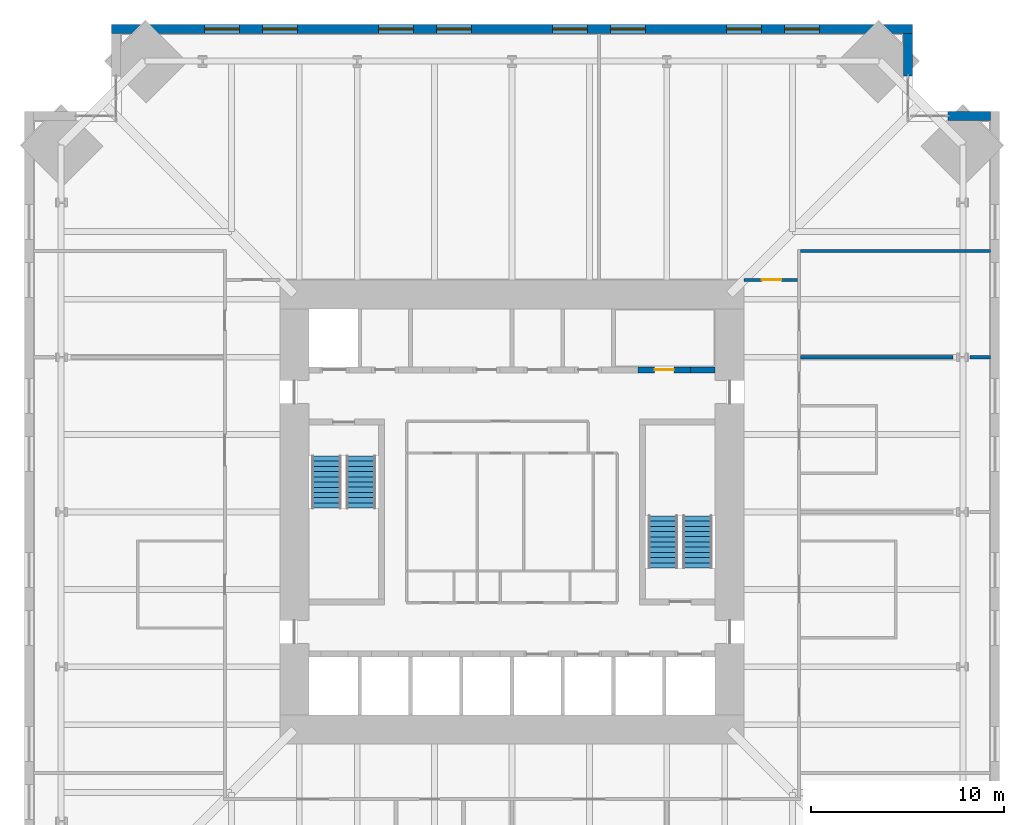
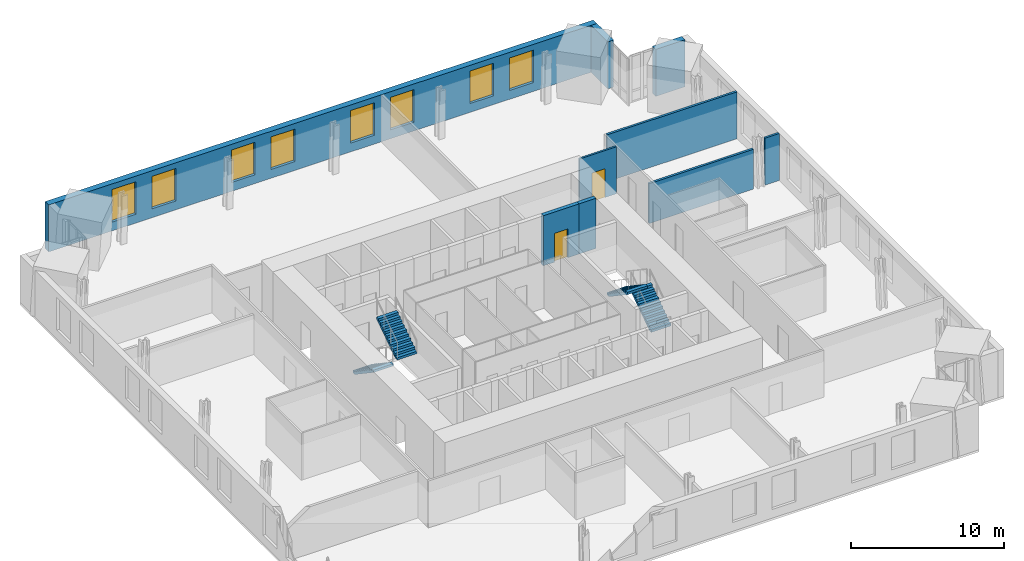
# One storey, part 14 of 15: 9 walls, 8 windows, 4 stair flights, 2 doors, 10 openings, 2 elements without a shape of their own.
"""IFC4 building model written with IfcOpenShell, lengths in metres."""

from ifc_helpers import new_model, si_unit, direction, frame, frame_2d, origin, place, context, subcontext, project, spatial, polyline, rectangle, outline, extrude, material, layer, layer_set, type_object, element, fill, aggregate, save


model = new_model("IFC4")

# Units and contexts
model_context = context("Model", 3, precision=1e-05, world=origin(), true_north=direction((0.0, 1.0)))
body_context = subcontext(model_context, "Body", "Model", "MODEL_VIEW")
ifc_project = project(units=[si_unit("LENGTHUNIT", "METRE"), si_unit("AREAUNIT", "SQUARE_METRE"), si_unit("VOLUMEUNIT", "CUBIC_METRE"), si_unit("PLANEANGLEUNIT", "RADIAN"), si_unit("MASSUNIT", "GRAM", prefix="KILO")], contexts=[model_context])

# Site, building, storey
site_placement = place(None, origin())
site = spatial("IfcSite", under=ifc_project, at=site_placement, CompositionType="ELEMENT")
building_placement = place(site_placement, origin())
building = spatial("IfcBuilding", under=site, at=building_placement, Name="Peilmerk Tower", CompositionType="ELEMENT")
storey_placement = place(building_placement, frame((0.0, 0.0, 187.800048828125)))
storey = spatial("IfcBuildingStorey", under=building, at=storey_placement, Name="L40", CompositionType="ELEMENT", Elevation=187.800048828125)

# Wall, openings, windows
ifc_material_1 = material(Name="Precast concrete C45/55, board-marked finish", Category="concrete")
ifc_layer_1 = layer(ifc_material_1, 0.449951171875)
ifc_layer_set_1 = layer_set([ifc_layer_1], Name="Precast concrete C45/55, board-marked finish")
wall_type_1 = type_object("IfcWallType", Name="EW1 450 precast concrete facade wall, board-marked", PredefinedType="SOLIDWALL", material=ifc_layer_set_1)
wall_1_placement = place(storey_placement, frame((20.699951171875, 24.97509765625, 0.0), z_axis=(0.0, 0.0, 1.0), x_axis=(-1.0, 0.0, 0.0)))
wall_1 = element("IfcWall", 1, at=wall_1_placement, inside=storey, type_object=wall_type_1, Name="Facade wall N L40", PredefinedType="SOLIDWALL", context=body_context, shape_type="SweptSolid", body=[
    extrude(rectangle(XDim=41.39990234375, YDim=0.449951171875, at=frame_2d((20.699951171875, 0.0))), origin(), (0.0, 0.0, 1.0), 3.75),
])
opening_1_placement = place(wall_1_placement, frame((4.800048828125, 0.0, 0.699951171875)))
opening_1 = element("IfcOpeningElement", 2, at=opening_1_placement, cuts=wall_1, Name="Opening W1", PredefinedType="OPENING", context=body_context, shape_type="SweptSolid", body=[
    extrude(rectangle(XDim=1.800048828125, YDim=2.60009765625, at=frame_2d((0.89990234375, 1.300048828125))), frame((0.0, 0.23486328125, 0.0), z_axis=(0.0, -1.0, 0.0), x_axis=(1.0, 0.0, 0.0)), (0.0, 0.0, 1.0), 0.469970703125),
])
opening_2_placement = place(wall_1_placement, frame((7.800048828125, 0.0, 0.699951171875)))
opening_2 = element("IfcOpeningElement", 3, at=opening_2_placement, cuts=wall_1, Name="Opening W1", PredefinedType="OPENING", context=body_context, shape_type="SweptSolid", body=[
    extrude(rectangle(XDim=1.800048828125, YDim=2.60009765625, at=frame_2d((0.89990234375, 1.300048828125))), frame((0.0, 0.23486328125, 0.0), z_axis=(0.0, -1.0, 0.0), x_axis=(1.0, 0.0, 0.0)), (0.0, 0.0, 1.0), 0.469970703125),
])
opening_3_placement = place(wall_1_placement, frame((13.800048828125, 0.0, 0.699951171875)))
opening_3 = element("IfcOpeningElement", 4, at=opening_3_placement, cuts=wall_1, Name="Opening W1", PredefinedType="OPENING", context=body_context, shape_type="SweptSolid", body=[
    extrude(rectangle(XDim=1.800048828125, YDim=2.60009765625, at=frame_2d((0.89990234375, 1.300048828125))), frame((0.0, 0.23486328125, 0.0), z_axis=(0.0, -1.0, 0.0), x_axis=(1.0, 0.0, 0.0)), (0.0, 0.0, 1.0), 0.469970703125),
])
opening_4_placement = place(wall_1_placement, frame((16.800048828125, 0.0, 0.699951171875)))
opening_4 = element("IfcOpeningElement", 5, at=opening_4_placement, cuts=wall_1, Name="Opening W1", PredefinedType="OPENING", context=body_context, shape_type="SweptSolid", body=[
    extrude(rectangle(XDim=1.800048828125, YDim=2.60009765625, at=frame_2d((0.89990234375, 1.300048828125))), frame((0.0, 0.23486328125, 0.0), z_axis=(0.0, -1.0, 0.0), x_axis=(1.0, 0.0, 0.0)), (0.0, 0.0, 1.0), 0.469970703125),
])
opening_5_placement = place(wall_1_placement, frame((22.800048828125, 0.0, 0.699951171875)))
opening_5 = element("IfcOpeningElement", 6, at=opening_5_placement, cuts=wall_1, Name="Opening W1", PredefinedType="OPENING", context=body_context, shape_type="SweptSolid", body=[
    extrude(rectangle(XDim=1.800048828125, YDim=2.60009765625, at=frame_2d((0.89990234375, 1.300048828125))), frame((0.0, 0.23486328125, 0.0), z_axis=(0.0, -1.0, 0.0), x_axis=(1.0, 0.0, 0.0)), (0.0, 0.0, 1.0), 0.469970703125),
])
opening_6_placement = place(wall_1_placement, frame((25.800048828125, 0.0, 0.699951171875)))
opening_6 = element("IfcOpeningElement", 7, at=opening_6_placement, cuts=wall_1, Name="Opening W1", PredefinedType="OPENING", context=body_context, shape_type="SweptSolid", body=[
    extrude(rectangle(XDim=1.800048828125, YDim=2.60009765625, at=frame_2d((0.89990234375, 1.300048828125))), frame((0.0, 0.23486328125, 0.0), z_axis=(0.0, -1.0, 0.0), x_axis=(1.0, 0.0, 0.0)), (0.0, 0.0, 1.0), 0.469970703125),
])
opening_7_placement = place(wall_1_placement, frame((31.800048828125, 0.0, 0.699951171875)))
opening_7 = element("IfcOpeningElement", 8, at=opening_7_placement, cuts=wall_1, Name="Opening W1", PredefinedType="OPENING", context=body_context, shape_type="SweptSolid", body=[
    extrude(rectangle(XDim=1.800048828125, YDim=2.60009765625, at=frame_2d((0.89990234375, 1.300048828125))), frame((0.0, 0.23486328125, 0.0), z_axis=(0.0, -1.0, 0.0), x_axis=(1.0, 0.0, 0.0)), (0.0, 0.0, 1.0), 0.469970703125),
])
opening_8_placement = place(wall_1_placement, frame((34.800048828125, 0.0, 0.699951171875)))
opening_8 = element("IfcOpeningElement", 9, at=opening_8_placement, cuts=wall_1, Name="Opening W1", PredefinedType="OPENING", context=body_context, shape_type="SweptSolid", body=[
    extrude(rectangle(XDim=1.800048828125, YDim=2.60009765625, at=frame_2d((0.89990234375, 1.300048828125))), frame((0.0, 0.23486328125, 0.0), z_axis=(0.0, -1.0, 0.0), x_axis=(1.0, 0.0, 0.0)), (0.0, 0.0, 1.0), 0.469970703125),
])
ifc_material_2 = material(Name="Aluminium frame, clear double glazing", Category="aluminium")
window_type = type_object("IfcWindowType", Name="W1 1800x2600 office window", PartitioningType="SINGLE_PANEL", PredefinedType="WINDOW", material=ifc_material_2)
window_1_placement = place(opening_1_placement, origin())
window_1 = element("IfcWindow", 10, at=window_1_placement, inside=storey, type_object=window_type, Name="Window W1 L40", OverallHeight=2.60009765625, OverallWidth=1.800048828125, PartitioningType="SINGLE_PANEL", PredefinedType="WINDOW", context=body_context, shape_type="SweptSolid", body=[
    extrude(rectangle(XDim=1.800048828125, YDim=2.60009765625, at=frame_2d((0.89990234375, 1.300048828125))), frame((0.0, 0.030029296875, 0.0), z_axis=(0.0, -1.0, 0.0), x_axis=(1.0, 0.0, 0.0)), (0.0, 0.0, 1.0), 0.06005859375),
])
fill(opening_1, window_1)
window_2_placement = place(opening_2_placement, origin())
window_2 = element("IfcWindow", 11, at=window_2_placement, inside=storey, type_object=window_type, Name="Window W1 L40", OverallHeight=2.60009765625, OverallWidth=1.800048828125, PartitioningType="SINGLE_PANEL", PredefinedType="WINDOW", context=body_context, shape_type="SweptSolid", body=[
    extrude(rectangle(XDim=1.800048828125, YDim=2.60009765625, at=frame_2d((0.89990234375, 1.300048828125))), frame((0.0, 0.030029296875, 0.0), z_axis=(0.0, -1.0, 0.0), x_axis=(1.0, 0.0, 0.0)), (0.0, 0.0, 1.0), 0.06005859375),
])
fill(opening_2, window_2)
window_3_placement = place(opening_3_placement, origin())
window_3 = element("IfcWindow", 12, at=window_3_placement, inside=storey, type_object=window_type, Name="Window W1 L40", OverallHeight=2.60009765625, OverallWidth=1.800048828125, PartitioningType="SINGLE_PANEL", PredefinedType="WINDOW", context=body_context, shape_type="SweptSolid", body=[
    extrude(rectangle(XDim=1.800048828125, YDim=2.60009765625, at=frame_2d((0.89990234375, 1.300048828125))), frame((0.0, 0.030029296875, 0.0), z_axis=(0.0, -1.0, 0.0), x_axis=(1.0, 0.0, 0.0)), (0.0, 0.0, 1.0), 0.06005859375),
])
fill(opening_3, window_3)
window_4_placement = place(opening_4_placement, origin())
window_4 = element("IfcWindow", 13, at=window_4_placement, inside=storey, type_object=window_type, Name="Window W1 L40", OverallHeight=2.60009765625, OverallWidth=1.800048828125, PartitioningType="SINGLE_PANEL", PredefinedType="WINDOW", context=body_context, shape_type="SweptSolid", body=[
    extrude(rectangle(XDim=1.800048828125, YDim=2.60009765625, at=frame_2d((0.89990234375, 1.300048828125))), frame((0.0, 0.030029296875, 0.0), z_axis=(0.0, -1.0, 0.0), x_axis=(1.0, 0.0, 0.0)), (0.0, 0.0, 1.0), 0.06005859375),
])
fill(opening_4, window_4)
window_5_placement = place(opening_5_placement, origin())
window_5 = element("IfcWindow", 14, at=window_5_placement, inside=storey, type_object=window_type, Name="Window W1 L40", OverallHeight=2.60009765625, OverallWidth=1.800048828125, PartitioningType="SINGLE_PANEL", PredefinedType="WINDOW", context=body_context, shape_type="SweptSolid", body=[
    extrude(rectangle(XDim=1.800048828125, YDim=2.60009765625, at=frame_2d((0.89990234375, 1.300048828125))), frame((0.0, 0.030029296875, 0.0), z_axis=(0.0, -1.0, 0.0), x_axis=(1.0, 0.0, 0.0)), (0.0, 0.0, 1.0), 0.06005859375),
])
fill(opening_5, window_5)
window_6_placement = place(opening_6_placement, origin())
window_6 = element("IfcWindow", 15, at=window_6_placement, inside=storey, type_object=window_type, Name="Window W1 L40", OverallHeight=2.60009765625, OverallWidth=1.800048828125, PartitioningType="SINGLE_PANEL", PredefinedType="WINDOW", context=body_context, shape_type="SweptSolid", body=[
    extrude(rectangle(XDim=1.800048828125, YDim=2.60009765625, at=frame_2d((0.89990234375, 1.300048828125))), frame((0.0, 0.030029296875, 0.0), z_axis=(0.0, -1.0, 0.0), x_axis=(1.0, 0.0, 0.0)), (0.0, 0.0, 1.0), 0.06005859375),
])
fill(opening_6, window_6)
window_7_placement = place(opening_7_placement, origin())
window_7 = element("IfcWindow", 16, at=window_7_placement, inside=storey, type_object=window_type, Name="Window W1 L40", OverallHeight=2.60009765625, OverallWidth=1.800048828125, PartitioningType="SINGLE_PANEL", PredefinedType="WINDOW", context=body_context, shape_type="SweptSolid", body=[
    extrude(rectangle(XDim=1.800048828125, YDim=2.60009765625, at=frame_2d((0.89990234375, 1.300048828125))), frame((0.0, 0.030029296875, 0.0), z_axis=(0.0, -1.0, 0.0), x_axis=(1.0, 0.0, 0.0)), (0.0, 0.0, 1.0), 0.06005859375),
])
fill(opening_7, window_7)
window_8_placement = place(opening_8_placement, origin())
window_8 = element("IfcWindow", 17, at=window_8_placement, inside=storey, type_object=window_type, Name="Window W1 L40", OverallHeight=2.60009765625, OverallWidth=1.800048828125, PartitioningType="SINGLE_PANEL", PredefinedType="WINDOW", context=body_context, shape_type="SweptSolid", body=[
    extrude(rectangle(XDim=1.800048828125, YDim=2.60009765625, at=frame_2d((0.89990234375, 1.300048828125))), frame((0.0, 0.030029296875, 0.0), z_axis=(0.0, -1.0, 0.0), x_axis=(1.0, 0.0, 0.0)), (0.0, 0.0, 1.0), 0.06005859375),
])
fill(opening_8, window_8)

# Walls
for number, where, z_axis, x_axis, name in (
    (18, (20.47509765625, 22.5537109375, 0.0), (0.0, 0.0, 1.0), (0.0, 1.0, 0.0), "Facade wall NEA L40"),
    (19, (22.5537109375, 20.47509765625, 0.0), (0.0, 0.0, 1.0), (1.0, 0.0, 0.0), "Facade wall NEB L40"),
):
    element("IfcWall", number, at=place(storey_placement, frame(where, z_axis=z_axis, x_axis=x_axis)), inside=storey, type_object=wall_type_1, Name=name, PredefinedType="SOLIDWALL", context=body_context, shape_type="SweptSolid", body=[
        extrude(rectangle(XDim=2.1962890625, YDim=0.449951171875, at=frame_2d((1.09814453125, 0.0))), origin(), (0.0, 0.0, 1.0), 3.75),
    ])

# Wall, opening, door
ifc_material_3 = material(Name="Calcium silicate block", Category="masonry")
ifc_layer_2 = layer(ifc_material_3, 0.14990234375)
ifc_layer_set_2 = layer_set([ifc_layer_2], Name="Calcium silicate block")
wall_type_2 = type_object("IfcWallType", Name="IW1 150 corridor partition, EI 60", PredefinedType="PARTITIONING", material=ifc_layer_set_2)
wall_2_placement = place(storey_placement, frame((12.0, 12.0, 0.0), z_axis=(0.0, 0.0, 1.0), x_axis=(1.0, 0.0, 0.0)))
wall_2 = element("IfcWall", 20, at=wall_2_placement, inside=storey, type_object=wall_type_2, Name="Corridor wall NE L40", PredefinedType="PARTITIONING", context=body_context, shape_type="SweptSolid", body=[
    extrude(rectangle(XDim=2.77490234375, YDim=0.14990234375, at=frame_2d((1.387451171875, 0.0))), origin(), (0.0, 0.0, 1.0), 3.75),
])
opening_9_placement = place(wall_2_placement, frame((0.925048828125, 0.0, 0.0)))
opening_9 = element("IfcOpeningElement", 21, at=opening_9_placement, cuts=wall_2, Name="Opening D1", PredefinedType="OPENING", context=body_context, shape_type="SweptSolid", body=[
    extrude(rectangle(XDim=1.0, YDim=2.300048828125, at=frame_2d((0.5, 1.14990234375))), frame((0.0, 0.0849609375, 0.0), z_axis=(0.0, -1.0, 0.0), x_axis=(1.0, 0.0, 0.0)), (0.0, 0.0, 1.0), 0.169921875),
])
ifc_material_4 = material(Name="Timber door in steel frame", Category="steel")
door_type_1 = type_object("IfcDoorType", Name="D1 1000x2300 room door, EI2 30", OperationType="SINGLE_SWING_LEFT", PredefinedType="DOOR", material=ifc_material_4)
door_1_placement = place(opening_9_placement, origin())
door_1 = element("IfcDoor", 22, at=door_1_placement, inside=storey, type_object=door_type_1, Name="Door Project room L40", OperationType="SINGLE_SWING_LEFT", OverallHeight=2.300048828125, OverallWidth=1.0, PredefinedType="DOOR", context=body_context, shape_type="SweptSolid", body=[
    extrude(rectangle(XDim=1.0, YDim=2.300048828125, at=frame_2d((0.5, 1.14990234375))), frame((0.0, 0.02490234375, 0.0), z_axis=(0.0, -1.0, 0.0), x_axis=(1.0, 0.0, 0.0)), (0.0, 0.0, 1.0), 0.050048828125),
])
fill(opening_9, door_1)

# Walls
ifc_layer_3 = layer(ifc_material_3, 0.175048828125)
ifc_layer_set_3 = layer_set([ifc_layer_3], Name="Calcium silicate block")
wall_type_3 = type_object("IfcWallType", Name="IW8 175 tenant separating wall, EI 60", PredefinedType="PARTITIONING", material=ifc_layer_set_3)
wall_3_placement = place(storey_placement, frame((14.925048828125, 13.5, 0.0), z_axis=(0.0, 0.0, 1.0), x_axis=(1.0, 0.0, 0.0)))
element("IfcWall", 23, at=wall_3_placement, inside=storey, type_object=wall_type_3, Name="Tenant separating wall NE L40", PredefinedType="PARTITIONING", context=body_context, shape_type="SweptSolid", body=[
    extrude(rectangle(XDim=9.824951171875, YDim=0.175048828125, at=frame_2d((4.91259765625, 0.0))), origin(), (0.0, 0.0, 1.0), 3.75),
])
wall_4_placement = place(storey_placement, frame((14.925048828125, 8.0, 0.0), z_axis=(0.0, 0.0, 1.0), x_axis=(1.0, 0.0, 0.0)))
element("IfcWall", 24, at=wall_4_placement, inside=storey, type_object=wall_type_3, Name="Tenant separating wall E2 L40", PredefinedType="PARTITIONING", context=body_context, shape_type="SweptSolid", body=[
    extrude(rectangle(XDim=7.873779296875, YDim=0.175048828125, at=frame_2d((3.93701171875, 0.0))), origin(), (0.0, 0.0, 1.0), 3.180908203125),
])
wall_5_placement = place(storey_placement, frame((23.688232421875, 8.0, 0.0), z_axis=(0.0, 0.0, 1.0), x_axis=(1.0, 0.0, 0.0)))
element("IfcWall", 25, at=wall_5_placement, inside=storey, type_object=wall_type_3, Name="Tenant separating wall E2b L40", PredefinedType="PARTITIONING", context=body_context, shape_type="SweptSolid", body=[
    extrude(rectangle(XDim=1.061767578125, YDim=0.175048828125, at=frame_2d((0.53076171875, 0.0))), origin(), (0.0, 0.0, 1.0), 3.75),
])

# Wall, opening, door
ifc_layer_4 = layer(ifc_material_3, 0.300048828125)
ifc_layer_set_4 = layer_set([ifc_layer_4], Name="Calcium silicate block")
wall_type_4 = type_object("IfcWallType", Name="SH2 300 lift landing door panel, EI 120", PredefinedType="PARTITIONING", material=ifc_layer_set_4)
wall_6_placement = place(storey_placement, frame((6.52490234375, 7.35009765625, 0.0), z_axis=(0.0, 0.0, 1.0), x_axis=(1.0, 0.0, 0.0)))
wall_6 = element("IfcWall", 26, at=wall_6_placement, inside=storey, type_object=wall_type_4, Name="Lift door panel N GL1 L40", PredefinedType="PARTITIONING", context=body_context, shape_type="SweptSolid", body=[
    extrude(rectangle(XDim=2.7001953125, YDim=0.300048828125, at=frame_2d((1.35009765625, 0.0))), origin(), (0.0, 0.0, 1.0), 4.0),
])
opening_10_placement = place(wall_6_placement, frame((0.85009765625, 0.0, 0.0)))
opening_10 = element("IfcOpeningElement", 27, at=opening_10_placement, cuts=wall_6, Name="Opening D10", PredefinedType="OPENING", context=body_context, shape_type="SweptSolid", body=[
    extrude(rectangle(XDim=1.0, YDim=2.300048828125, at=frame_2d((0.5, 1.14990234375))), frame((0.0, 0.159912109375, 0.0), z_axis=(0.0, -1.0, 0.0), x_axis=(1.0, 0.0, 0.0)), (0.0, 0.0, 1.0), 0.320068359375),
])
ifc_material_5 = material(Name="Steel door in steel frame", Category="steel")
door_type_2 = type_object("IfcDoorType", Name="D10 1000x2300 core room door, EI2 60", OperationType="SINGLE_SWING_RIGHT", PredefinedType="DOOR", material=ifc_material_5)
door_2_placement = place(opening_10_placement, origin())
door_2 = element("IfcDoor", 28, at=door_2_placement, inside=storey, type_object=door_type_2, Name="Door Pantry L40", OperationType="SINGLE_SWING_RIGHT", OverallHeight=2.300048828125, OverallWidth=1.0, PredefinedType="DOOR", context=body_context, shape_type="SweptSolid", body=[
    extrude(rectangle(XDim=1.0, YDim=2.300048828125, at=frame_2d((0.5, 1.14990234375))), frame((0.0, 0.02490234375, 0.0), z_axis=(0.0, -1.0, 0.0), x_axis=(1.0, 0.0, 0.0)), (0.0, 0.0, 1.0), 0.050048828125),
])
fill(opening_10, door_2)

# Wall
ifc_material_6 = material(Name="Concrete C55/67", Category="concrete")
ifc_layer_5 = layer(ifc_material_6, 0.300048828125)
ifc_layer_set_5 = layer_set([ifc_layer_5], Name="Concrete C55/67")
wall_type_5 = type_object("IfcWallType", Name="SW2 300 lift bank pier", PredefinedType="SHEAR", material=ifc_layer_set_5)
wall_7_placement = place(storey_placement, frame((9.22509765625, 7.35009765625, 0.0), z_axis=(0.0, 0.0, 1.0), x_axis=(1.0, 0.0, 0.0)))
element("IfcWall", 29, at=wall_7_placement, inside=storey, type_object=wall_type_5, Name="Lift bank pier N L40", PredefinedType="SHEAR", context=body_context, shape_type="SweptSolid", body=[
    extrude(rectangle(XDim=1.27490234375, YDim=0.300048828125, at=frame_2d((0.637451171875, 0.0))), origin(), (0.0, 0.0, 1.0), 4.0),
])

# Stair, stair flights
ifc_material_7 = material(Name="Precast concrete C45/55", Category="concrete")
stair_type_1 = type_object("IfcStairType", Name="ST1 22 risers of 181.8", PredefinedType="HALF_TURN_STAIR", material=ifc_material_7)
stair_1_placement = place(storey_placement, origin())
stair_1 = element("IfcStair", 30, at=stair_1_placement, inside=storey, type_object=stair_type_1, Name="Stair 1 L40 to L41", PredefinedType="HALF_TURN_STAIR")
stair_flight_type = type_object("IfcStairFlightType", Name="SF11 flight, 11 risers of 181.8", PredefinedType="STRAIGHT", material=ifc_material_7)
stair_flight_1_placement = place(storey_placement, frame((-9.60009765625, 2.89990234375, 0.0), z_axis=(0.0, 0.0, 1.0), x_axis=(0.0, -1.0, 0.0)))
stair_flight_1 = element("IfcStairFlight", 31, at=stair_flight_1_placement, type_object=stair_flight_type, Name="ST1 flight 1", NumberOfRisers=11, NumberOfTreads=10, PredefinedType="STRAIGHT", RiserHeight=0.181818182, TreadLength=0.27, context=body_context, shape_type="SweptSolid", body=[
    extrude(outline(polyline([(0.0, 0.0), (0.0, 0.181884765625), (0.27001953125, 0.181884765625), (0.27001953125, 0.363525390625), (0.5400390625, 0.363525390625), (0.5400390625, 0.54541015625), (0.81005859375, 0.54541015625), (0.81005859375, 0.727294921875), (1.080078125, 0.727294921875), (1.080078125, 0.9091796875), (1.35009765625, 0.9091796875), (1.35009765625, 1.0908203125), (1.6201171875, 1.0908203125), (1.6201171875, 1.272705078125), (1.889892578125, 1.272705078125), (1.889892578125, 1.45458984375), (2.159912109375, 1.45458984375), (2.159912109375, 1.636474609375), (2.429931640625, 1.636474609375), (2.429931640625, 1.818115234375), (2.699951171875, 1.818115234375), (2.699951171875, 2.0), (2.699951171875, 1.637451171875), (0.268310546875, 0.0), (0.0, 0.0)])), frame((0.0, 0.75, 0.0), z_axis=(0.0, -1.0, 0.0), x_axis=(1.0, 0.0, 0.0)), (0.0, 0.0, 1.0), 1.5),
])
stair_flight_2_placement = place(storey_placement, frame((-7.800048828125, 0.199951171875, 2.0), z_axis=(0.0, 0.0, 1.0), x_axis=(0.0, 1.0, 0.0)))
stair_flight_2 = element("IfcStairFlight", 32, at=stair_flight_2_placement, type_object=stair_flight_type, Name="ST1 flight 2", NumberOfRisers=11, NumberOfTreads=10, PredefinedType="STRAIGHT", RiserHeight=0.181818182, TreadLength=0.27, context=body_context, shape_type="SweptSolid", body=[
    extrude(outline(polyline([(0.0, 0.0), (0.0, 0.181884765625), (0.27001953125, 0.181884765625), (0.27001953125, 0.363525390625), (0.5400390625, 0.363525390625), (0.5400390625, 0.54541015625), (0.81005859375, 0.54541015625), (0.81005859375, 0.727294921875), (1.080078125, 0.727294921875), (1.080078125, 0.9091796875), (1.35009765625, 0.9091796875), (1.35009765625, 1.0908203125), (1.6201171875, 1.0908203125), (1.6201171875, 1.272705078125), (1.889892578125, 1.272705078125), (1.889892578125, 1.45458984375), (2.159912109375, 1.45458984375), (2.159912109375, 1.636474609375), (2.429931640625, 1.636474609375), (2.429931640625, 1.818115234375), (2.699951171875, 1.818115234375), (2.699951171875, 2.0), (2.699951171875, 1.637451171875), (0.268310546875, 0.0), (0.0, 0.0)])), frame((0.0, 0.75, 0.0), z_axis=(0.0, -1.0, 0.0), x_axis=(1.0, 0.0, 0.0)), (0.0, 0.0, 1.0), 1.5),
])
aggregate(stair_1, [stair_flight_1, stair_flight_2])

stair_type_2 = type_object("IfcStairType", Name="ST2 22 risers of 181.8", PredefinedType="HALF_TURN_STAIR", material=ifc_material_7)
stair_2_placement = place(storey_placement, origin())
stair_2 = element("IfcStair", 33, at=stair_2_placement, inside=storey, type_object=stair_type_2, Name="Stair 2 L40 to L41", PredefinedType="HALF_TURN_STAIR")
stair_flight_3_placement = place(storey_placement, frame((9.60009765625, -2.89990234375, 0.0), z_axis=(0.0, 0.0, 1.0), x_axis=(0.0, 1.0, 0.0)))
stair_flight_3 = element("IfcStairFlight", 34, at=stair_flight_3_placement, type_object=stair_flight_type, Name="ST2 flight 1", NumberOfRisers=11, NumberOfTreads=10, PredefinedType="STRAIGHT", RiserHeight=0.181818182, TreadLength=0.27, context=body_context, shape_type="SweptSolid", body=[
    extrude(outline(polyline([(0.0, 0.0), (0.0, 0.181884765625), (0.27001953125, 0.181884765625), (0.27001953125, 0.363525390625), (0.5400390625, 0.363525390625), (0.5400390625, 0.54541015625), (0.81005859375, 0.54541015625), (0.81005859375, 0.727294921875), (1.080078125, 0.727294921875), (1.080078125, 0.9091796875), (1.35009765625, 0.9091796875), (1.35009765625, 1.0908203125), (1.6201171875, 1.0908203125), (1.6201171875, 1.272705078125), (1.889892578125, 1.272705078125), (1.889892578125, 1.45458984375), (2.159912109375, 1.45458984375), (2.159912109375, 1.636474609375), (2.429931640625, 1.636474609375), (2.429931640625, 1.818115234375), (2.699951171875, 1.818115234375), (2.699951171875, 2.0), (2.699951171875, 1.637451171875), (0.268310546875, 0.0), (0.0, 0.0)])), frame((0.0, 0.75, 0.0), z_axis=(0.0, -1.0, 0.0), x_axis=(1.0, 0.0, 0.0)), (0.0, 0.0, 1.0), 1.5),
])
stair_flight_4_placement = place(storey_placement, frame((7.800048828125, -0.199951171875, 2.0), z_axis=(0.0, 0.0, 1.0), x_axis=(0.0, -1.0, 0.0)))
stair_flight_4 = element("IfcStairFlight", 35, at=stair_flight_4_placement, type_object=stair_flight_type, Name="ST2 flight 2", NumberOfRisers=11, NumberOfTreads=10, PredefinedType="STRAIGHT", RiserHeight=0.181818182, TreadLength=0.27, context=body_context, shape_type="SweptSolid", body=[
    extrude(outline(polyline([(0.0, 0.0), (0.0, 0.181884765625), (0.27001953125, 0.181884765625), (0.27001953125, 0.363525390625), (0.5400390625, 0.363525390625), (0.5400390625, 0.54541015625), (0.81005859375, 0.54541015625), (0.81005859375, 0.727294921875), (1.080078125, 0.727294921875), (1.080078125, 0.9091796875), (1.35009765625, 0.9091796875), (1.35009765625, 1.0908203125), (1.6201171875, 1.0908203125), (1.6201171875, 1.272705078125), (1.889892578125, 1.272705078125), (1.889892578125, 1.45458984375), (2.159912109375, 1.45458984375), (2.159912109375, 1.636474609375), (2.429931640625, 1.636474609375), (2.429931640625, 1.818115234375), (2.699951171875, 1.818115234375), (2.699951171875, 2.0), (2.699951171875, 1.637451171875), (0.268310546875, 0.0), (0.0, 0.0)])), frame((0.0, 0.75, 0.0), z_axis=(0.0, -1.0, 0.0), x_axis=(1.0, 0.0, 0.0)), (0.0, 0.0, 1.0), 1.5),
])
aggregate(stair_2, [stair_flight_3, stair_flight_4])

save(model, "model.ifc")
